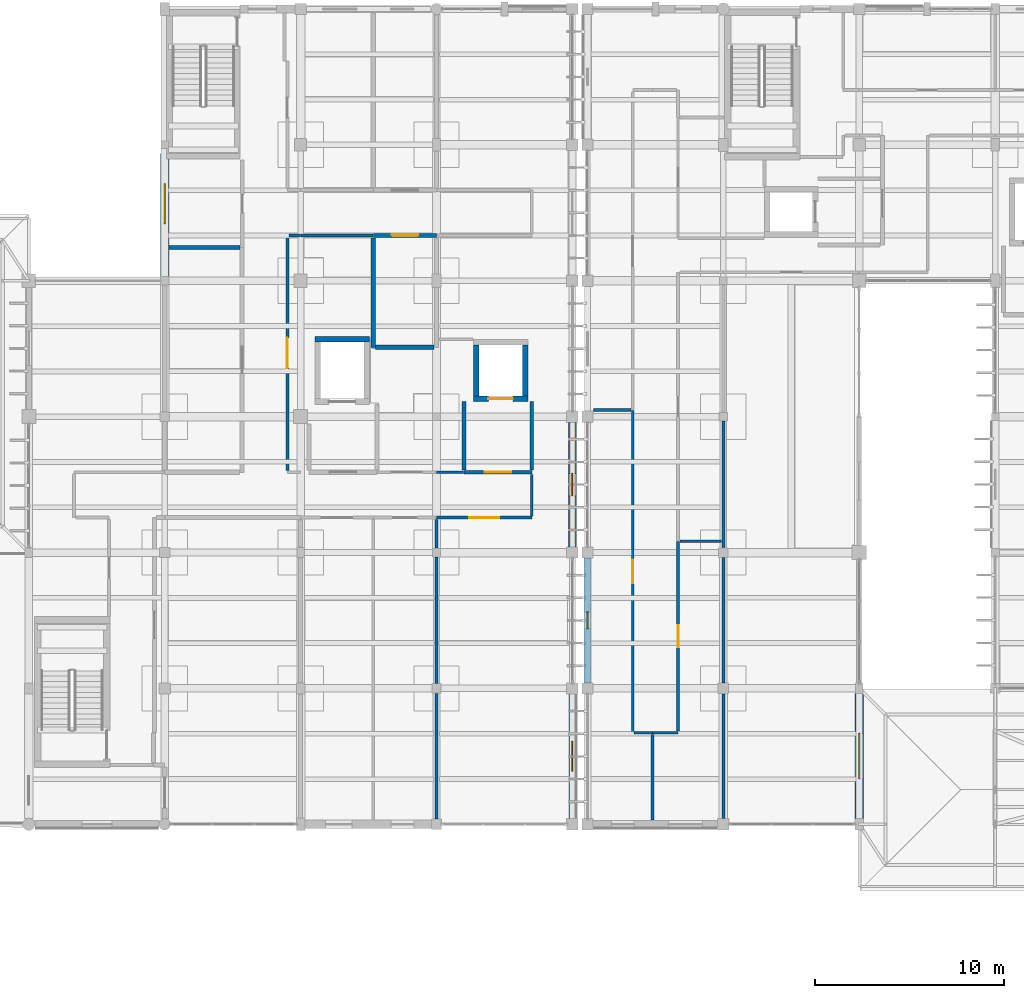
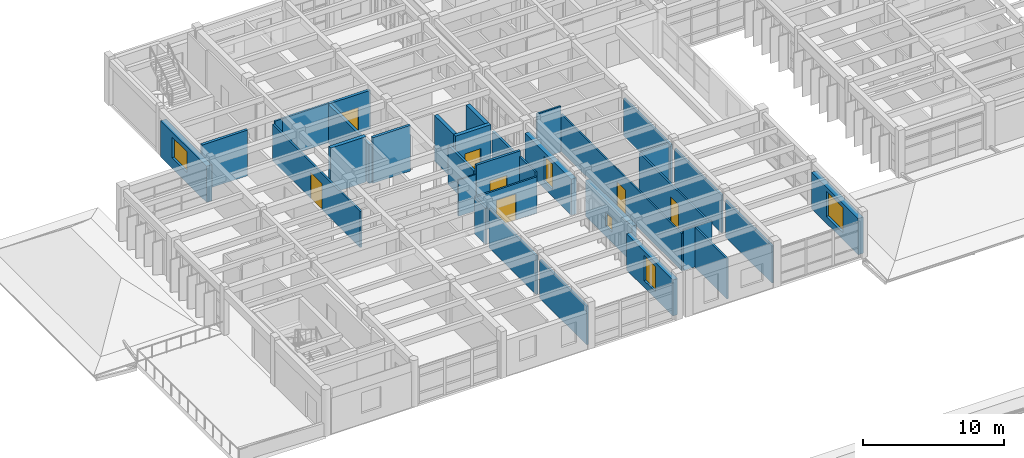
# One storey, part 73 of 100: 35 walls, 7 doors, 5 windows, 12 openings.
"""IFC4 building model written with IfcOpenShell, lengths in metres."""

from ifc_helpers import new_model, si_unit, direction, frame, frame_2d, origin, place, context, subcontext, project, spatial, rectangle, extrude, material, layer, layer_set, type_object, element, fill, save


model = new_model("IFC4")

# Units and contexts
model_context = context("Model", 3, precision=1e-05, world=origin(), true_north=direction((0.0, 1.0)))
body_context = subcontext(model_context, "Body", "Model", "MODEL_VIEW")
ifc_project = project(units=[si_unit("LENGTHUNIT", "METRE"), si_unit("AREAUNIT", "SQUARE_METRE"), si_unit("VOLUMEUNIT", "CUBIC_METRE"), si_unit("PLANEANGLEUNIT", "RADIAN"), si_unit("MASSUNIT", "GRAM", prefix="KILO")], contexts=[model_context])

# Site, building, storey
site_placement = place(None, origin())
site = spatial("IfcSite", under=ifc_project, at=site_placement, CompositionType="ELEMENT")
building_placement = place(site_placement, origin())
building = spatial("IfcBuilding", under=site, at=building_placement, Name="Steenspoor Specialist Clinic", CompositionType="ELEMENT")
storey_placement = place(building_placement, frame((0.0, 0.0, 9.0)))
storey = spatial("IfcBuildingStorey", under=building, at=storey_placement, Name="L02", CompositionType="ELEMENT", Elevation=9.0)

# Wall, opening, window
ifc_material_1 = material(Name="Extruded clay brick masonry", Category="masonry")
ifc_layer_1 = layer(ifc_material_1, 0.3798828125)
ifc_layer_set_1 = layer_set([ifc_layer_1], Name="Extruded clay brick masonry")
wall_type_1 = type_object("IfcWallType", Name="W-BRICK-380", PredefinedType="USERDEFINED", material=ifc_layer_set_1)
wall_1_placement = place(storey_placement, frame((52.39990234375, 72.64990234375, 0.0), z_axis=(0.0, 0.0, 1.0), x_axis=(0.0, 1.0, 0.0)))
wall_1 = element("IfcWall", 1, at=wall_1_placement, inside=storey, type_object=wall_type_1, Name="Exterior Brick Wall EW-V4-L02-0160", ObjectType="CAVITY VENEER", PredefinedType="USERDEFINED", context=body_context, shape_type="SweptSolid", body=[
    extrude(rectangle(XDim=6.60009765625, YDim=0.3798828125, at=frame_2d((3.300048828125, 0.0))), origin(), (0.0, 0.0, 1.0), 3.1298828125),
])
opening_1_placement = place(wall_1_placement, frame((2.85009765625, 0.0, 0.89990234375)))
opening_1 = element("IfcOpeningElement", 2, at=opening_1_placement, cuts=wall_1, Name="Opening WN-21", PredefinedType="OPENING", context=body_context, shape_type="SweptSolid", body=[
    extrude(rectangle(XDim=0.89990234375, YDim=1.199951171875, at=frame_2d((0.449951171875, 0.60009765625))), frame((0.0, 0.199951171875, 0.0), z_axis=(0.0, -1.0, 0.0), x_axis=(1.0, 0.0, 0.0)), (0.0, 0.0, 1.0), 0.39990234375),
])
ifc_material_2 = material(Name="Thermally broken aluminium and low-emissivity glass", Category="aluminium")
window_type_1 = type_object("IfcWindowType", Name="WN-EXT-090X120", PartitioningType="SINGLE_PANEL", PredefinedType="WINDOW", material=ifc_material_2)
window_1_placement = place(opening_1_placement, origin())
window_1 = element("IfcWindow", 3, at=window_1_placement, inside=storey, type_object=window_type_1, Name="Window 0187", OverallHeight=1.199951171875, OverallWidth=0.89990234375, PartitioningType="SINGLE_PANEL", PredefinedType="WINDOW", context=body_context, shape_type="SweptSolid", body=[
    extrude(rectangle(XDim=0.89990234375, YDim=1.199951171875, at=frame_2d((0.449951171875, 0.60009765625))), frame((0.0, 0.030029296875, 0.0), z_axis=(0.0, -1.0, 0.0), x_axis=(1.0, 0.0, 0.0)), (0.0, 0.0, 1.0), 0.06005859375),
])
fill(opening_1, window_1)

wall_2_placement = place(storey_placement, frame((51.60009765625, 72.050048828125, 0.0), z_axis=(0.0, 0.0, 1.0), x_axis=(0.0, -1.0, 0.0)))
wall_2 = element("IfcWall", 4, at=wall_2_placement, inside=storey, type_object=wall_type_1, Name="Exterior Brick Wall EW-V5-L02-0276", ObjectType="CAVITY VENEER", PredefinedType="USERDEFINED", context=body_context, shape_type="SweptSolid", body=[
    extrude(rectangle(XDim=6.60009765625, YDim=0.3798828125, at=frame_2d((3.300048828125, 0.0))), origin(), (0.0, 0.0, 1.0), 3.1298828125),
])
opening_2_placement = place(wall_2_placement, frame((2.5, 0.0, 0.60009765625)))
opening_2 = element("IfcOpeningElement", 5, at=opening_2_placement, cuts=wall_2, Name="Opening WN-16", PredefinedType="OPENING", context=body_context, shape_type="SweptSolid", body=[
    extrude(rectangle(XDim=1.60009765625, YDim=2.199951171875, at=frame_2d((0.800048828125, 1.10009765625))), frame((0.0, 0.199951171875, 0.0), z_axis=(0.0, -1.0, 0.0), x_axis=(1.0, 0.0, 0.0)), (0.0, 0.0, 1.0), 0.39990234375),
])
window_type_2 = type_object("IfcWindowType", Name="WN-EXT-160X220", PartitioningType="SINGLE_PANEL", PredefinedType="WINDOW", material=ifc_material_2)
window_2_placement = place(opening_2_placement, origin())
window_2 = element("IfcWindow", 6, at=window_2_placement, inside=storey, type_object=window_type_2, Name="Window 0302", OverallHeight=2.199951171875, OverallWidth=1.60009765625, PartitioningType="SINGLE_PANEL", PredefinedType="WINDOW", context=body_context, shape_type="SweptSolid", body=[
    extrude(rectangle(XDim=1.60009765625, YDim=2.199951171875, at=frame_2d((0.800048828125, 1.10009765625))), frame((0.0, 0.030029296875, 0.0), z_axis=(0.0, -1.0, 0.0), x_axis=(1.0, 0.0, 0.0)), (0.0, 0.0, 1.0), 0.06005859375),
])
fill(opening_2, window_2)

ifc_layer_2 = layer(ifc_material_1, 0.409912109375)
ifc_layer_set_2 = layer_set([ifc_layer_2], Name="Extruded clay brick masonry")
wall_type_2 = type_object("IfcWallType", Name="W-BRICK-410", PredefinedType="USERDEFINED", material=ifc_layer_set_2)
wall_3_placement = place(storey_placement, frame((51.60009765625, 86.449951171875, 0.0), z_axis=(0.0, 0.0, 1.0), x_axis=(0.0, -1.0, 0.0)))
wall_3 = element("IfcWall", 7, at=wall_3_placement, inside=storey, type_object=wall_type_2, Name="Exterior Brick Wall EW-V5-L02-0275", ObjectType="CAVITY VENEER", PredefinedType="USERDEFINED", context=body_context, shape_type="SweptSolid", body=[
    extrude(rectangle(XDim=6.599853515625, YDim=0.409912109375, at=frame_2d((3.2998046875, 0.0))), origin(), (0.0, 0.0, 1.0), 3.1298828125),
])
opening_3_placement = place(wall_3_placement, frame((2.699951171875, 0.0, 0.60009765625)))
opening_3 = element("IfcOpeningElement", 8, at=opening_3_placement, cuts=wall_3, Name="Opening WN-15", PredefinedType="OPENING", context=body_context, shape_type="SweptSolid", body=[
    extrude(rectangle(XDim=1.199951171875, YDim=2.199951171875, at=frame_2d((0.60009765625, 1.10009765625))), frame((0.0, 0.21484375, 0.0), z_axis=(0.0, -1.0, 0.0), x_axis=(1.0, 0.0, 0.0)), (0.0, 0.0, 1.0), 0.429931640625),
])
window_type_3 = type_object("IfcWindowType", Name="WN-EXT-120X220", PartitioningType="SINGLE_PANEL", PredefinedType="WINDOW", material=ifc_material_2)
window_3_placement = place(opening_3_placement, origin())
window_3 = element("IfcWindow", 9, at=window_3_placement, inside=storey, type_object=window_type_3, Name="Window 0301", OverallHeight=2.199951171875, OverallWidth=1.199951171875, PartitioningType="SINGLE_PANEL", PredefinedType="WINDOW", context=body_context, shape_type="SweptSolid", body=[
    extrude(rectangle(XDim=1.199951171875, YDim=2.199951171875, at=frame_2d((0.60009765625, 1.10009765625))), frame((0.0, 0.030029296875, 0.0), z_axis=(0.0, -1.0, 0.0), x_axis=(1.0, 0.0, 0.0)), (0.0, 0.0, 1.0), 0.06005859375),
])
fill(opening_3, window_3)

ifc_layer_3 = layer(ifc_material_1, 0.43994140625)
ifc_layer_set_3 = layer_set([ifc_layer_3], Name="Extruded clay brick masonry")
wall_type_3 = type_object("IfcWallType", Name="W-BRICK-440", PredefinedType="USERDEFINED", material=ifc_layer_set_3)
wall_4_placement = place(storey_placement, frame((66.800048828125, 72.074951171875, 0.0), z_axis=(0.0, 0.0, 1.0), x_axis=(0.0, -1.0, 0.0)))
wall_4 = element("IfcWall", 10, at=wall_4_placement, inside=storey, type_object=wall_type_3, Name="Exterior Brick Wall EW-V4-L02-0158", ObjectType="CAVITY VENEER", PredefinedType="USERDEFINED", context=body_context, shape_type="SweptSolid", body=[
    extrude(rectangle(XDim=6.625, YDim=0.43994140625, at=frame_2d((3.3125, 0.0))), origin(), (0.0, 0.0, 1.0), 3.1298828125),
])
opening_4_placement = place(wall_4_placement, frame((2.112548828125, 0.0, 0.60009765625)))
opening_4 = element("IfcOpeningElement", 11, at=opening_4_placement, cuts=wall_4, Name="Opening WN-18", PredefinedType="OPENING", context=body_context, shape_type="SweptSolid", body=[
    extrude(rectangle(XDim=2.39990234375, YDim=2.199951171875, at=frame_2d((1.199951171875, 1.10009765625))), frame((0.0, 0.22998046875, 0.0), z_axis=(0.0, -1.0, 0.0), x_axis=(1.0, 0.0, 0.0)), (0.0, 0.0, 1.0), 0.4599609375),
])
window_type_4 = type_object("IfcWindowType", Name="WN-EXT-240X220", PartitioningType="SINGLE_PANEL", PredefinedType="WINDOW", material=ifc_material_2)
window_4_placement = place(opening_4_placement, origin())
window_4 = element("IfcWindow", 12, at=window_4_placement, inside=storey, type_object=window_type_4, Name="Window 0184", OverallHeight=2.199951171875, OverallWidth=2.39990234375, PartitioningType="SINGLE_PANEL", PredefinedType="WINDOW", context=body_context, shape_type="SweptSolid", body=[
    extrude(rectangle(XDim=2.39990234375, YDim=2.199951171875, at=frame_2d((1.199951171875, 1.10009765625))), frame((0.0, 0.030029296875, 0.0), z_axis=(0.0, -1.0, 0.0), x_axis=(1.0, 0.0, 0.0)), (0.0, 0.0, 1.0), 0.06005859375),
])
fill(opening_4, window_4)

wall_5_placement = place(storey_placement, frame((30.0, 94.175048828125, 0.0), z_axis=(0.0, 0.0, 1.0), x_axis=(0.0, 1.0, 0.0)))
wall_5 = element("IfcWall", 13, at=wall_5_placement, inside=storey, type_object=wall_type_3, Name="Exterior Brick Wall EW-V5-L02-0270", ObjectType="CAVITY VENEER", PredefinedType="USERDEFINED", context=body_context, shape_type="SweptSolid", body=[
    extrude(rectangle(XDim=6.52490234375, YDim=0.43994140625, at=frame_2d((3.262451171875, 0.0))), origin(), (0.0, 0.0, 1.0), 3.1298828125),
])
opening_5_placement = place(wall_5_placement, frame((2.802490234375, 0.0, 0.89990234375)))
opening_5 = element("IfcOpeningElement", 14, at=opening_5_placement, cuts=wall_5, Name="Opening WN-09", PredefinedType="OPENING", context=body_context, shape_type="SweptSolid", body=[
    extrude(rectangle(XDim=2.10009765625, YDim=1.800048828125, at=frame_2d((1.050048828125, 0.89990234375))), frame((0.0, 0.22998046875, 0.0), z_axis=(0.0, -1.0, 0.0), x_axis=(1.0, 0.0, 0.0)), (0.0, 0.0, 1.0), 0.4599609375),
])
window_type_5 = type_object("IfcWindowType", Name="WN-EXT-210X180", PartitioningType="SINGLE_PANEL", PredefinedType="WINDOW", material=ifc_material_2)
window_5_placement = place(opening_5_placement, origin())
window_5 = element("IfcWindow", 15, at=window_5_placement, inside=storey, type_object=window_type_5, Name="Window 0295", OverallHeight=1.800048828125, OverallWidth=2.10009765625, PartitioningType="SINGLE_PANEL", PredefinedType="WINDOW", context=body_context, shape_type="SweptSolid", body=[
    extrude(rectangle(XDim=2.10009765625, YDim=1.800048828125, at=frame_2d((1.050048828125, 0.89990234375))), frame((0.0, 0.030029296875, 0.0), z_axis=(0.0, -1.0, 0.0), x_axis=(1.0, 0.0, 0.0)), (0.0, 0.0, 1.0), 0.06005859375),
])
fill(opening_5, window_5)

# Wall, opening, door
ifc_material_3 = material(Name="Gypsum acoustic clinical partition", Category="gypsum")
ifc_layer_4 = layer(ifc_material_3, 0.14990234375)
ifc_layer_set_4 = layer_set([ifc_layer_4], Name="Gypsum acoustic clinical partition")
wall_type_4 = type_object("IfcWallType", Name="W-CLIN-150", PredefinedType="PARTITIONING", material=ifc_layer_set_4)
wall_6_placement = place(storey_placement, frame((44.39990234375, 81.39990234375, 0.0), z_axis=(0.0, 0.0, 1.0), x_axis=(1.0, 0.0, 0.0)))
wall_6 = element("IfcWall", 16, at=wall_6_placement, inside=storey, type_object=wall_type_4, Name="Interior Partition IW-V5-L02-1300", PredefinedType="PARTITIONING", context=body_context, shape_type="SweptSolid", body=[
    extrude(rectangle(XDim=5.050048828125, YDim=0.14990234375, at=frame_2d((2.52490234375, 0.0))), origin(), (0.0, 0.0, 1.0), 3.135009765625),
])
opening_6_placement = place(wall_6_placement, frame((1.72509765625, 0.0, 0.0)))
opening_6 = element("IfcOpeningElement", 17, at=opening_6_placement, cuts=wall_6, Name="Opening D0375", PredefinedType="OPENING", context=body_context, shape_type="SweptSolid", body=[
    extrude(rectangle(XDim=1.60009765625, YDim=2.25, at=frame_2d((0.800048828125, 1.125))), frame((0.0, 0.0849609375, 0.0), z_axis=(0.0, -1.0, 0.0), x_axis=(1.0, 0.0, 0.0)), (0.0, 0.0, 1.0), 0.169921875),
])
ifc_material_4 = material(Name="Hygienic HPL clinical timber door", Category="wood")
door_type_1 = type_object("IfcDoorType", Name="DT-PROC-160X225", OperationType="NOTDEFINED", PredefinedType="DOOR", material=ifc_material_4)
door_1_placement = place(opening_6_placement, origin())
door_1 = element("IfcDoor", 18, at=door_1_placement, inside=storey, type_object=door_type_1, Name="Clinical Door D0375", OperationType="SINGLE_SWING_RIGHT", OverallHeight=2.25, OverallWidth=1.60009765625, PredefinedType="DOOR", context=body_context, shape_type="SweptSolid", body=[
    extrude(rectangle(XDim=1.60009765625, YDim=2.25, at=frame_2d((0.800048828125, 1.125))), frame((0.0, 0.02490234375, 0.0), z_axis=(0.0, -1.0, 0.0), x_axis=(1.0, 0.0, 0.0)), (0.0, 0.0, 1.0), 0.050048828125),
])
fill(opening_6, door_1)

# Wall
wall_7_placement = place(storey_placement, frame((49.449951171875, 81.489990234375, 0.0), z_axis=(0.0, 0.0, 1.0), x_axis=(0.0, 1.0, 0.0)))
element("IfcWall", 19, at=wall_7_placement, inside=storey, type_object=wall_type_4, Name="Interior Partition IW-V5-L02-1301", PredefinedType="PARTITIONING", context=body_context, shape_type="SweptSolid", body=[
    extrude(rectangle(XDim=2.195068359375, YDim=0.14990234375, at=frame_2d((1.09765625, 0.0))), origin(), (0.0, 0.0, 1.0), 3.47509765625),
])

# Wall, opening, door
wall_8_placement = place(storey_placement, frame((36.5, 83.889892578125, 0.0), z_axis=(0.0, 0.0, 1.0), x_axis=(0.0, 1.0, 0.0)))
wall_8 = element("IfcWall", 20, at=wall_8_placement, inside=storey, type_object=wall_type_4, Name="Interior Partition IW-V5-L02-1303", PredefinedType="PARTITIONING", context=body_context, shape_type="SweptSolid", body=[
    extrude(rectangle(XDim=12.460205078125, YDim=0.14990234375, at=frame_2d((6.22998046875, 0.0))), origin(), (0.0, 0.0, 1.0), 3.135009765625),
])
opening_7_placement = place(wall_8_placement, frame((5.429931640625, 0.0, 0.0)))
opening_7 = element("IfcOpeningElement", 21, at=opening_7_placement, cuts=wall_8, Name="Opening D0378", PredefinedType="OPENING", context=body_context, shape_type="SweptSolid", body=[
    extrude(rectangle(XDim=1.60009765625, YDim=2.25, at=frame_2d((0.800048828125, 1.125))), frame((0.0, 0.0849609375, 0.0), z_axis=(0.0, -1.0, 0.0), x_axis=(1.0, 0.0, 0.0)), (0.0, 0.0, 1.0), 0.169921875),
])
door_2_placement = place(opening_7_placement, origin())
door_2 = element("IfcDoor", 22, at=door_2_placement, inside=storey, type_object=door_type_1, Name="Clinical Door D0378", OperationType="SINGLE_SWING_LEFT", OverallHeight=2.25, OverallWidth=1.60009765625, PredefinedType="DOOR", context=body_context, shape_type="SweptSolid", body=[
    extrude(rectangle(XDim=1.60009765625, YDim=2.25, at=frame_2d((0.800048828125, 1.125))), frame((0.0, 0.02490234375, 0.0), z_axis=(0.0, -1.0, 0.0), x_axis=(1.0, 0.0, 0.0)), (0.0, 0.0, 1.0), 0.050048828125),
])
fill(opening_7, door_2)

# Walls
wall_9_placement = place(storey_placement, frame((36.590087890625, 96.35009765625, 0.0), z_axis=(0.0, 0.0, 1.0), x_axis=(1.0, 0.0, 0.0)))
element("IfcWall", 23, at=wall_9_placement, inside=storey, type_object=wall_type_4, Name="Interior Partition IW-V5-L02-1304", PredefinedType="PARTITIONING", context=body_context, shape_type="SweptSolid", body=[
    extrude(rectangle(XDim=0.60986328125, YDim=0.14990234375, at=frame_2d((0.304931640625, 0.0))), origin(), (0.0, 0.0, 1.0), 3.385009765625),
])
wall_10_placement = place(storey_placement, frame((37.215087890625, 96.35009765625, 0.0), z_axis=(0.0, 0.0, 1.0), x_axis=(1.0, 0.0, 0.0)))
element("IfcWall", 24, at=wall_10_placement, inside=storey, type_object=wall_type_4, Name="Interior Partition IW-V5-L02-1305", PredefinedType="PARTITIONING", context=body_context, shape_type="SweptSolid", body=[
    extrude(rectangle(XDim=3.81982421875, YDim=0.14990234375, at=frame_2d((1.909912109375, 0.0))), origin(), (0.0, 0.0, 1.0), 3.385009765625),
])
wall_11_placement = place(storey_placement, frame((55.85009765625, 70.0, 0.0), z_axis=(0.0, 0.0, 1.0), x_axis=(1.0, 0.0, 0.0)))
element("IfcWall", 25, at=wall_11_placement, inside=storey, type_object=wall_type_4, Name="Interior Partition IW-V4-L02-1306", PredefinedType="PARTITIONING", context=body_context, shape_type="SweptSolid", body=[
    extrude(rectangle(XDim=1.349853515625, YDim=0.14990234375, at=frame_2d((0.6748046875, 0.0))), origin(), (0.0, 0.0, 1.0), 3.514892578125),
])

# Wall, opening, door
wall_12_placement = place(storey_placement, frame((57.199951171875, 70.090087890625, 0.0), z_axis=(0.0, 0.0, 1.0), x_axis=(0.0, 1.0, 0.0)))
wall_12 = element("IfcWall", 26, at=wall_12_placement, inside=storey, type_object=wall_type_4, Name="Interior Partition IW-V4-L02-1307", PredefinedType="PARTITIONING", context=body_context, shape_type="SweptSolid", body=[
    extrude(rectangle(XDim=10.054931640625, YDim=0.14990234375, at=frame_2d((5.02734375, 0.0))), origin(), (0.0, 0.0, 1.0), 3.235107421875),
])
opening_8_placement = place(wall_12_placement, frame((4.452392578125, 0.0, 0.0)))
opening_8 = element("IfcOpeningElement", 27, at=opening_8_placement, cuts=wall_12, Name="Opening D0231", PredefinedType="OPENING", context=body_context, shape_type="SweptSolid", body=[
    extrude(rectangle(XDim=1.14990234375, YDim=2.14990234375, at=frame_2d((0.574951171875, 1.074951171875))), frame((0.0, 0.0849609375, 0.0), z_axis=(0.0, -1.0, 0.0), x_axis=(1.0, 0.0, 0.0)), (0.0, 0.0, 1.0), 0.169921875),
])
ifc_material_5 = material(Name="Solid-core hardwood clinical door", Category="wood")
door_type_2 = type_object("IfcDoorType", Name="DT-CONS-115X215", OperationType="NOTDEFINED", PredefinedType="DOOR", material=ifc_material_5)
door_3_placement = place(opening_8_placement, origin())
door_3 = element("IfcDoor", 28, at=door_3_placement, inside=storey, type_object=door_type_2, Name="Clinical Door D0231", OperationType="SINGLE_SWING_RIGHT", OverallHeight=2.14990234375, OverallWidth=1.14990234375, PredefinedType="DOOR", context=body_context, shape_type="SweptSolid", body=[
    extrude(rectangle(XDim=1.14990234375, YDim=2.14990234375, at=frame_2d((0.574951171875, 1.074951171875))), frame((0.0, 0.02490234375, 0.0), z_axis=(0.0, -1.0, 0.0), x_axis=(1.0, 0.0, 0.0)), (0.0, 0.0, 1.0), 0.050048828125),
])
fill(opening_8, door_3)

# Walls
wall_13_placement = place(storey_placement, frame((44.39990234375, 65.43994140625, 0.0), z_axis=(0.0, 0.0, 1.0), x_axis=(0.0, 1.0, 0.0)))
element("IfcWall", 29, at=wall_13_placement, inside=storey, type_object=wall_type_4, Name="Interior Partition IW-V5-L02-1454", PredefinedType="PARTITIONING", context=body_context, shape_type="SweptSolid", body=[
    extrude(rectangle(XDim=6.64501953125, YDim=0.14990234375, at=frame_2d((3.322509765625, 0.0))), origin(), (0.0, 0.0, 1.0), 3.35498046875),
])
wall_14_placement = place(storey_placement, frame((44.39990234375, 72.614990234375, 0.0), z_axis=(0.0, 0.0, 1.0), x_axis=(0.0, 1.0, 0.0)))
element("IfcWall", 30, at=wall_14_placement, inside=storey, type_object=wall_type_4, Name="Interior Partition IW-V5-L02-1455", PredefinedType="PARTITIONING", context=body_context, shape_type="SweptSolid", body=[
    extrude(rectangle(XDim=6.695068359375, YDim=0.14990234375, at=frame_2d((3.34765625, 0.0))), origin(), (0.0, 0.0, 1.0), 3.385009765625),
])
wall_15_placement = place(storey_placement, frame((44.39990234375, 79.7900390625, 0.0), z_axis=(0.0, 0.0, 1.0), x_axis=(0.0, 1.0, 0.0)))
element("IfcWall", 31, at=wall_15_placement, inside=storey, type_object=wall_type_4, Name="Interior Partition IW-V5-L02-1456", PredefinedType="PARTITIONING", context=body_context, shape_type="SweptSolid", body=[
    extrude(rectangle(XDim=1.52001953125, YDim=0.14990234375, at=frame_2d((0.760009765625, 0.0))), origin(), (0.0, 0.0, 1.0), 3.135009765625),
])
wall_16_placement = place(storey_placement, frame((55.85009765625, 65.3701171875, 0.0), z_axis=(0.0, 0.0, 1.0), x_axis=(0.0, 1.0, 0.0)))
element("IfcWall", 32, at=wall_16_placement, inside=storey, type_object=wall_type_4, Name="Interior Partition IW-V4-L02-1458", PredefinedType="PARTITIONING", context=body_context, shape_type="SweptSolid", body=[
    extrude(rectangle(XDim=4.539794921875, YDim=0.14990234375, at=frame_2d((2.27001953125, 0.0))), origin(), (0.0, 0.0, 1.0), 3.47509765625),
])
wall_17_placement = place(storey_placement, frame((52.715087890625, 87.10009765625, 0.0), z_axis=(0.0, 0.0, 1.0), x_axis=(1.0, 0.0, 0.0)))
element("IfcWall", 33, at=wall_17_placement, inside=storey, type_object=wall_type_4, Name="Interior Partition IW-V4-L02-1459", PredefinedType="PARTITIONING", context=body_context, shape_type="SweptSolid", body=[
    extrude(rectangle(XDim=1.994873046875, YDim=0.14990234375, at=frame_2d((0.99755859375, 0.0))), origin(), (0.0, 0.0, 1.0), 3.949951171875),
])
wall_18_placement = place(storey_placement, frame((59.60009765625, 65.465087890625, 0.0), z_axis=(0.0, 0.0, 1.0), x_axis=(0.0, 1.0, 0.0)))
element("IfcWall", 34, at=wall_18_placement, inside=storey, type_object=wall_type_4, Name="Interior Partition IW-V4-L02-1460", PredefinedType="PARTITIONING", context=body_context, shape_type="SweptSolid", body=[
    extrude(rectangle(XDim=6.594970703125, YDim=0.14990234375, at=frame_2d((3.29736328125, 0.0))), origin(), (0.0, 0.0, 1.0), 3.215087890625),
])
wall_19_placement = place(storey_placement, frame((59.60009765625, 72.639892578125, 0.0), z_axis=(0.0, 0.0, 1.0), x_axis=(0.0, 1.0, 0.0)))
element("IfcWall", 35, at=wall_19_placement, inside=storey, type_object=wall_type_4, Name="Interior Partition IW-V4-L02-1461", PredefinedType="PARTITIONING", context=body_context, shape_type="SweptSolid", body=[
    extrude(rectangle(XDim=6.64501953125, YDim=0.14990234375, at=frame_2d((3.322509765625, 0.0))), origin(), (0.0, 0.0, 1.0), 3.284912109375),
])
wall_20_placement = place(storey_placement, frame((59.60009765625, 79.81494140625, 0.0), z_axis=(0.0, 0.0, 1.0), x_axis=(0.0, 1.0, 0.0)))
element("IfcWall", 36, at=wall_20_placement, inside=storey, type_object=wall_type_4, Name="Interior Partition IW-V4-L02-1462", PredefinedType="PARTITIONING", context=body_context, shape_type="SweptSolid", body=[
    extrude(rectangle(XDim=6.695068359375, YDim=0.14990234375, at=frame_2d((3.34765625, 0.0))), origin(), (0.0, 0.0, 1.0), 3.284912109375),
])
wall_21_placement = place(storey_placement, frame((57.2900390625, 80.14501953125, 0.0), z_axis=(0.0, 0.0, 1.0), x_axis=(1.0, 0.0, 0.0)))
element("IfcWall", 37, at=wall_21_placement, inside=storey, type_object=wall_type_4, Name="Interior Partition IW-V4-L02-1464", PredefinedType="PARTITIONING", context=body_context, shape_type="SweptSolid", body=[
    extrude(rectangle(XDim=2.219970703125, YDim=0.14990234375, at=frame_2d((1.10986328125, 0.0))), origin(), (0.0, 0.0, 1.0), 3.284912109375),
])

# Wall, opening, door
ifc_material_6 = material(Name="Fire-rated clay blockwork masonry", Category="masonry")
ifc_layer_5 = layer(ifc_material_6, 0.219970703125)
ifc_layer_set_5 = layer_set([ifc_layer_5], Name="Fire-rated clay blockwork masonry")
wall_type_5 = type_object("IfcWallType", Name="W-FIRE-220", PredefinedType="PARTITIONING", material=ifc_layer_set_5)
wall_22_placement = place(storey_placement, frame((41.050048828125, 96.35009765625, 0.0), z_axis=(0.0, 0.0, 1.0), x_axis=(1.0, 0.0, 0.0)))
wall_22 = element("IfcWall", 38, at=wall_22_placement, inside=storey, type_object=wall_type_5, Name="Interior Partition IW-V5-L02-1268", PredefinedType="PARTITIONING", context=body_context, shape_type="SweptSolid", body=[
    extrude(rectangle(XDim=3.349853515625, YDim=0.219970703125, at=frame_2d((1.6748046875, 0.0))), origin(), (0.0, 0.0, 1.0), 3.35498046875),
])
opening_9_placement = place(wall_22_placement, frame((0.97509765625, 0.0, 0.0)))
opening_9 = element("IfcOpeningElement", 39, at=opening_9_placement, cuts=wall_22, Name="Opening D0380", PredefinedType="OPENING", context=body_context, shape_type="SweptSolid", body=[
    extrude(rectangle(XDim=1.39990234375, YDim=2.199951171875, at=frame_2d((0.699951171875, 1.10009765625))), frame((0.0, 0.1201171875, 0.0), z_axis=(0.0, -1.0, 0.0), x_axis=(1.0, 0.0, 0.0)), (0.0, 0.0, 1.0), 0.239990234375),
])
ifc_material_7 = material(Name="Fire-rated clinical laminate door", Category="steel")
door_type_3 = type_object("IfcDoorType", Name="DT-LAB-140X220", OperationType="NOTDEFINED", PredefinedType="DOOR", material=ifc_material_7)
door_4_placement = place(opening_9_placement, origin())
door_4 = element("IfcDoor", 40, at=door_4_placement, inside=storey, type_object=door_type_3, Name="Clinical Door D0380", OperationType="SINGLE_SWING_LEFT", OverallHeight=2.199951171875, OverallWidth=1.39990234375, PredefinedType="DOOR", context=body_context, shape_type="SweptSolid", body=[
    extrude(rectangle(XDim=1.39990234375, YDim=2.199951171875, at=frame_2d((0.699951171875, 1.10009765625))), frame((0.0, 0.02490234375, 0.0), z_axis=(0.0, -1.0, 0.0), x_axis=(1.0, 0.0, 0.0)), (0.0, 0.0, 1.0), 0.050048828125),
])
fill(opening_9, door_4)

# Walls
wall_23_placement = place(storey_placement, frame((30.235107421875, 95.705078125, 0.0), z_axis=(0.0, 0.0, 1.0), x_axis=(1.0, 0.0, 0.0)))
element("IfcWall", 41, at=wall_23_placement, inside=storey, type_object=wall_type_5, Name="Interior Partition IW-V5-L02-1430", PredefinedType="PARTITIONING", context=body_context, shape_type="SweptSolid", body=[
    extrude(rectangle(XDim=3.739990234375, YDim=0.219970703125, at=frame_2d((1.8701171875, 0.0))), origin(), (0.0, 0.0, 1.0), 3.949951171875),
])
wall_24_placement = place(storey_placement, frame((41.050048828125, 90.425048828125, 0.0), z_axis=(0.0, 0.0, 1.0), x_axis=(0.0, 1.0, 0.0)))
element("IfcWall", 42, at=wall_24_placement, inside=storey, type_object=wall_type_5, Name="Interior Partition IW-V5-L02-1431", PredefinedType="PARTITIONING", context=body_context, shape_type="SweptSolid", body=[
    extrude(rectangle(XDim=5.800048828125, YDim=0.219970703125, at=frame_2d((2.89990234375, 0.0))), origin(), (0.0, 0.0, 1.0), 3.35498046875),
])
wall_25_placement = place(storey_placement, frame((41.175048828125, 90.425048828125, 0.0), z_axis=(0.0, 0.0, 1.0), x_axis=(1.0, 0.0, 0.0)))
element("IfcWall", 43, at=wall_25_placement, inside=storey, type_object=wall_type_5, Name="Interior Partition IW-V5-L02-1432", PredefinedType="PARTITIONING", context=body_context, shape_type="SweptSolid", body=[
    extrude(rectangle(XDim=3.099853515625, YDim=0.219970703125, at=frame_2d((1.5498046875, 0.0))), origin(), (0.0, 0.0, 1.0), 3.949951171875),
])

# Wall, opening, door
ifc_material_8 = material(Name="Gypsum studio partition board", Category="gypsum")
ifc_layer_6 = layer(ifc_material_8, 0.1201171875)
ifc_layer_set_6 = layer_set([ifc_layer_6], Name="Gypsum studio partition board")
wall_type_6 = type_object("IfcWallType", Name="W-PART-120", PredefinedType="PARTITIONING", material=ifc_layer_set_6)
wall_26_placement = place(storey_placement, frame((54.800048828125, 70.0, 0.0), z_axis=(0.0, 0.0, 1.0), x_axis=(0.0, 1.0, 0.0)))
wall_26 = element("IfcWall", 44, at=wall_26_placement, inside=storey, type_object=wall_type_6, Name="Interior Partition IW-V4-L02-1378", PredefinedType="PARTITIONING", context=body_context, shape_type="SweptSolid", body=[
    extrude(rectangle(XDim=17.0849609375, YDim=0.1201171875, at=frame_2d((8.54248046875, 0.0))), origin(), (0.0, 0.0, 1.0), 3.235107421875),
])
opening_10_placement = place(wall_26_placement, frame((7.91748046875, 0.0, 0.0)))
opening_10 = element("IfcOpeningElement", 45, at=opening_10_placement, cuts=wall_26, Name="Opening D0230", PredefinedType="OPENING", context=body_context, shape_type="SweptSolid", body=[
    extrude(rectangle(XDim=1.25, YDim=2.14990234375, at=frame_2d((0.625, 1.074951171875))), frame((0.0, 0.070068359375, 0.0), z_axis=(0.0, -1.0, 0.0), x_axis=(1.0, 0.0, 0.0)), (0.0, 0.0, 1.0), 0.14013671875),
])
door_type_4 = type_object("IfcDoorType", Name="DT-EXAM-125X215", OperationType="NOTDEFINED", PredefinedType="DOOR", material=ifc_material_4)
door_5_placement = place(opening_10_placement, origin())
door_5 = element("IfcDoor", 46, at=door_5_placement, inside=storey, type_object=door_type_4, Name="Clinical Door D0230", OperationType="SINGLE_SWING_LEFT", OverallHeight=2.14990234375, OverallWidth=1.25, PredefinedType="DOOR", context=body_context, shape_type="SweptSolid", body=[
    extrude(rectangle(XDim=1.25, YDim=2.14990234375, at=frame_2d((0.625, 1.074951171875))), frame((0.0, 0.02490234375, 0.0), z_axis=(0.0, -1.0, 0.0), x_axis=(1.0, 0.0, 0.0)), (0.0, 0.0, 1.0), 0.050048828125),
])
fill(opening_10, door_5)

# Walls
wall_27_placement = place(storey_placement, frame((54.875, 70.0, 0.0), z_axis=(0.0, 0.0, 1.0), x_axis=(1.0, 0.0, 0.0)))
element("IfcWall", 47, at=wall_27_placement, inside=storey, type_object=wall_type_6, Name="Interior Partition IW-V4-L02-1379", PredefinedType="PARTITIONING", context=body_context, shape_type="SweptSolid", body=[
    extrude(rectangle(XDim=0.9599609375, YDim=0.1201171875, at=frame_2d((0.47998046875, 0.0))), origin(), (0.0, 0.0, 1.0), 3.514892578125),
])
wall_28_placement = place(storey_placement, frame((44.39990234375, 83.800048828125, 0.0), z_axis=(0.0, 0.0, 1.0), x_axis=(1.0, 0.0, 0.0)))
element("IfcWall", 48, at=wall_28_placement, inside=storey, type_object=wall_type_6, Name="Interior Partition IW-V5-L02-1398", PredefinedType="PARTITIONING", context=body_context, shape_type="SweptSolid", body=[
    extrude(rectangle(XDim=1.43505859375, YDim=0.1201171875, at=frame_2d((0.717529296875, 0.0))), origin(), (0.0, 0.0, 1.0), 3.135009765625),
])

# Wall, opening, door
ifc_material_9 = material(Name="Gypsum acoustic smoke barrier board", Category="gypsum")
ifc_layer_7 = layer(ifc_material_9, 0.199951171875)
ifc_layer_set_7 = layer_set([ifc_layer_7], Name="Gypsum acoustic smoke barrier board")
wall_type_7 = type_object("IfcWallType", Name="W-SMOKE-200", PredefinedType="PARTITIONING", material=ifc_layer_set_7)
wall_29_placement = place(storey_placement, frame((45.85009765625, 83.800048828125, 0.0), z_axis=(0.0, 0.0, 1.0), x_axis=(1.0, 0.0, 0.0)))
wall_29 = element("IfcWall", 49, at=wall_29_placement, inside=storey, type_object=wall_type_7, Name="Interior Partition IW-V5-L02-1241", PredefinedType="PARTITIONING", context=body_context, shape_type="SweptSolid", body=[
    extrude(rectangle(XDim=3.599853515625, YDim=0.199951171875, at=frame_2d((1.7998046875, 0.0))), origin(), (0.0, 0.0, 1.0), 3.949951171875),
])
opening_11_placement = place(wall_29_placement, frame((1.10009765625, 0.0, 0.0)))
opening_11 = element("IfcOpeningElement", 50, at=opening_11_placement, cuts=wall_29, Name="Opening D0370", PredefinedType="OPENING", context=body_context, shape_type="SweptSolid", body=[
    extrude(rectangle(XDim=1.39990234375, YDim=2.199951171875, at=frame_2d((0.699951171875, 1.10009765625))), frame((0.0, 0.10986328125, 0.0), z_axis=(0.0, -1.0, 0.0), x_axis=(1.0, 0.0, 0.0)), (0.0, 0.0, 1.0), 0.219970703125),
])
door_6_placement = place(opening_11_placement, origin())
door_6 = element("IfcDoor", 51, at=door_6_placement, inside=storey, type_object=door_type_3, Name="Lift Lobby Fire Door D0370", OperationType="SINGLE_SWING_LEFT", OverallHeight=2.199951171875, OverallWidth=1.39990234375, PredefinedType="DOOR", context=body_context, shape_type="SweptSolid", body=[
    extrude(rectangle(XDim=1.39990234375, YDim=2.199951171875, at=frame_2d((0.699951171875, 1.10009765625))), frame((0.0, 0.02490234375, 0.0), z_axis=(0.0, -1.0, 0.0), x_axis=(1.0, 0.0, 0.0)), (0.0, 0.0, 1.0), 0.050048828125),
])
fill(opening_11, door_6)

# Walls
for number, where, z_axis, x_axis, name in (
    (52, (49.449951171875, 83.9150390625, 0.0), (0.0, 0.0, 1.0), (0.0, 1.0, 0.0), "Interior Partition IW-V5-L02-1251"),
    (53, (45.85009765625, 83.9150390625, 0.0), (0.0, 0.0, 1.0), (0.0, 1.0, 0.0), "Interior Partition IW-V5-L02-1252"),
):
    element("IfcWall", number, at=place(storey_placement, frame(where, z_axis=z_axis, x_axis=x_axis)), inside=storey, type_object=wall_type_7, Name=name, PredefinedType="PARTITIONING", context=body_context, shape_type="SweptSolid", body=[
        extrude(rectangle(XDim=3.635009765625, YDim=0.199951171875, at=frame_2d((1.8173828125, 0.0))), origin(), (0.0, 0.0, 1.0), 3.35498046875),
    ])
ifc_material_10 = material(Name="Concrete C40/50", Category="concrete")
ifc_layer_8 = layer(ifc_material_10, 0.300048828125)
ifc_layer_set_8 = layer_set([ifc_layer_8], Name="Concrete C40/50")
wall_type_8 = type_object("IfcWallType", Name="W-SW-300", PredefinedType="SHEAR", material=ifc_layer_set_8)
wall_30_placement = place(storey_placement, frame((37.949951171875, 90.85009765625, 0.0), z_axis=(0.0, 0.0, 1.0), x_axis=(1.0, 0.0, 0.0)))
element("IfcWall", 54, at=wall_30_placement, inside=storey, type_object=wall_type_8, Name="Lift Shaft Shear Wall SW-EL-S2-L02-N", PredefinedType="SHEAR", context=body_context, shape_type="SweptSolid", body=[
    extrude(rectangle(XDim=2.900146484375, YDim=0.300048828125, at=frame_2d((1.4501953125, 0.0))), origin(), (0.0, 0.0, 1.0), 3.949951171875),
])

# Wall, opening, door
wall_31_placement = place(storey_placement, frame((46.35009765625, 87.699951171875, 0.0), z_axis=(0.0, 0.0, 1.0), x_axis=(1.0, 0.0, 0.0)))
wall_31 = element("IfcWall", 55, at=wall_31_placement, inside=storey, type_object=wall_type_8, Name="Lift Shaft Shear Wall SW-EL-G1-L02-S", PredefinedType="SHEAR", context=body_context, shape_type="SweptSolid", body=[
    extrude(rectangle(XDim=2.89990234375, YDim=0.300048828125, at=frame_2d((1.449951171875, 0.0))), origin(), (0.0, 0.0, 1.0), 3.949951171875),
])
opening_12_placement = place(wall_31_placement, frame((0.800048828125, 0.0, 0.0)))
opening_12 = element("IfcOpeningElement", 56, at=opening_12_placement, cuts=wall_31, Name="Opening LD31", PredefinedType="OPENING", context=body_context, shape_type="SweptSolid", body=[
    extrude(rectangle(XDim=1.300048828125, YDim=2.14990234375, at=frame_2d((0.64990234375, 1.074951171875))), frame((0.0, 0.16015625, 0.0), z_axis=(0.0, -1.0, 0.0), x_axis=(1.0, 0.0, 0.0)), (0.0, 0.0, 1.0), 0.320068359375),
])
ifc_material_11 = material(Name="Stainless steel lift landing door", Category="steel")
door_type_5 = type_object("IfcDoorType", Name="DT-LIFT-G-130", OperationType="NOTDEFINED", PredefinedType="DOOR", material=ifc_material_11)
door_7_placement = place(opening_12_placement, origin())
door_7 = element("IfcDoor", 57, at=door_7_placement, inside=storey, type_object=door_type_5, Name="Lift Landing Door LD31", OperationType="SLIDING_TO_LEFT", OverallHeight=2.14990234375, OverallWidth=1.300048828125, PredefinedType="DOOR", context=body_context, shape_type="SweptSolid", body=[
    extrude(rectangle(XDim=1.300048828125, YDim=2.14990234375, at=frame_2d((0.64990234375, 1.074951171875))), frame((0.0, 0.02490234375, 0.0), z_axis=(0.0, -1.0, 0.0), x_axis=(1.0, 0.0, 0.0)), (0.0, 0.0, 1.0), 0.050048828125),
])
fill(opening_12, door_7)

# Walls
for number, where, z_axis, x_axis, name in (
    (58, (46.5, 87.85009765625, 0.0), (0.0, 0.0, 1.0), (0.0, 1.0, 0.0), "Lift Shaft Shear Wall SW-EL-G1-L02-W"),
    (59, (49.10009765625, 87.85009765625, 0.0), (0.0, 0.0, 1.0), (0.0, 1.0, 0.0), "Lift Shaft Shear Wall SW-EL-G1-L02-E"),
):
    element("IfcWall", number, at=place(storey_placement, frame(where, z_axis=z_axis, x_axis=x_axis)), inside=storey, type_object=wall_type_8, Name=name, PredefinedType="SHEAR", context=body_context, shape_type="SweptSolid", body=[
        extrude(rectangle(XDim=2.699951171875, YDim=0.300048828125, at=frame_2d((1.35009765625, 0.0))), origin(), (0.0, 0.0, 1.0), 3.949951171875),
    ])

save(model, "model.ifc")
